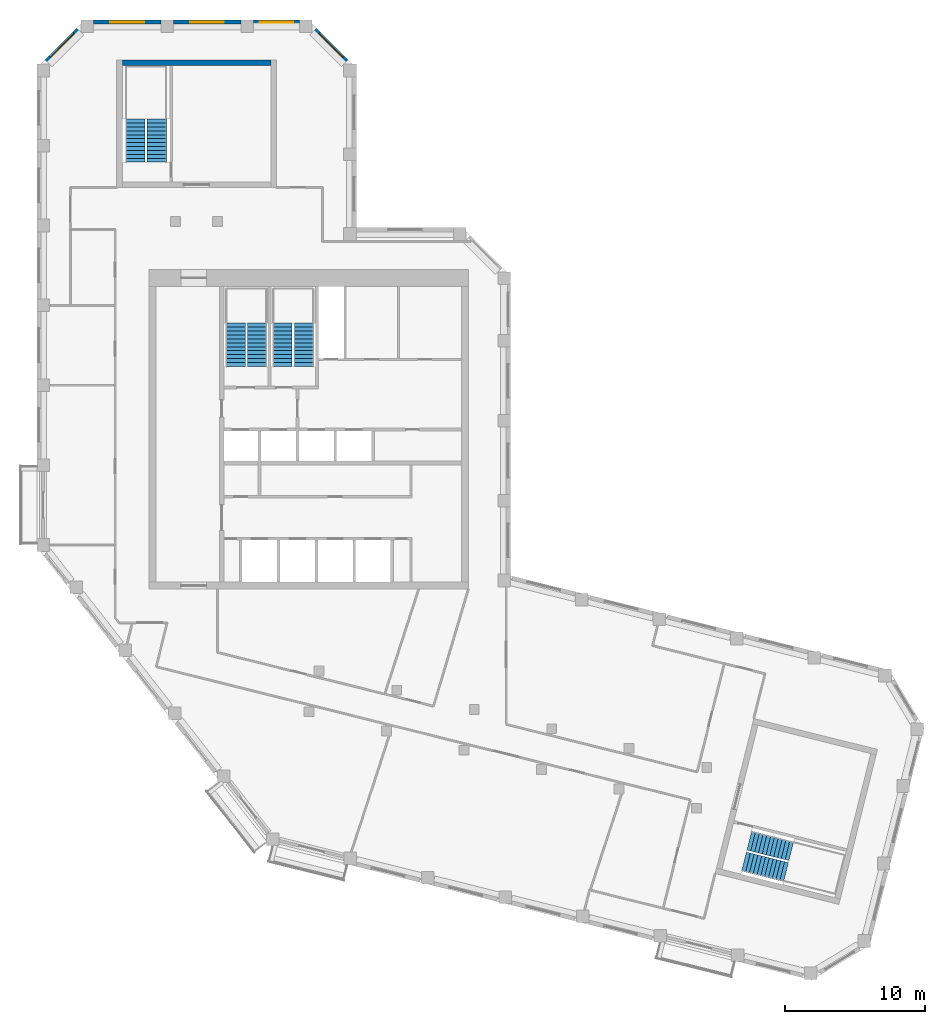
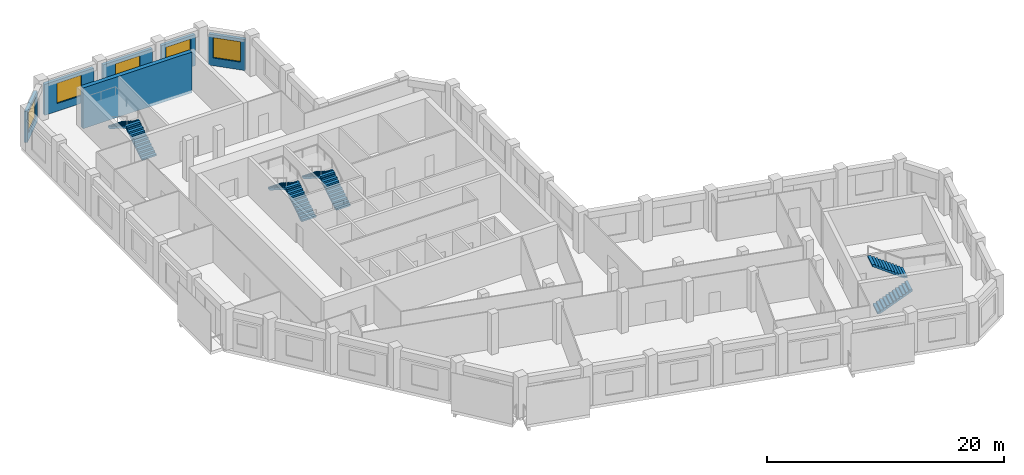
# One storey, part 7 of 8: 8 stair flights, 6 walls, 5 windows, 5 openings, 4 elements without a shape of their own.
"""IFC4 building model written with IfcOpenShell, lengths in metres."""

from ifc_helpers import new_model, si_unit, direction, frame, frame_2d, origin, place, context, subcontext, project, spatial, polyline, rectangle, outline, extrude, material, layer, layer_set, type_object, element, fill, aggregate, save


model = new_model("IFC4")

# Units and contexts
model_context = context("Model", 3, precision=1e-05, world=origin(), true_north=direction((0.0, 1.0)))
body_context = subcontext(model_context, "Body", "Model", "MODEL_VIEW")
ifc_project = project(units=[si_unit("LENGTHUNIT", "METRE"), si_unit("AREAUNIT", "SQUARE_METRE"), si_unit("VOLUMEUNIT", "CUBIC_METRE"), si_unit("PLANEANGLEUNIT", "RADIAN"), si_unit("MASSUNIT", "GRAM", prefix="KILO")], contexts=[model_context])

# Site, building, storey
site_placement = place(None, origin())
site = spatial("IfcSite", under=ifc_project, at=site_placement, CompositionType="ELEMENT")
building_placement = place(site_placement, origin())
building = spatial("IfcBuilding", under=site, at=building_placement, Name="Meshkara Civic Tower", CompositionType="ELEMENT")
storey_placement = place(building_placement, frame((0.0, 0.0, 391.800048828125)))
storey = spatial("IfcBuildingStorey", under=building, at=storey_placement, Name="L90", CompositionType="ELEMENT", Elevation=391.800048828125)

# Wall, opening, window
ifc_material_1 = material(Name="Insulated infill panel with bronze anodised aluminium cladding", Category="aluminium")
ifc_layer_1 = layer(ifc_material_1, 0.300048828125)
ifc_layer_set_1 = layer_set([ifc_layer_1], Name="EXTERNAL INFILL WALL 300")
wall_type_1 = type_object("IfcWallType", Name="EXTERNAL INFILL WALL 300", PredefinedType="SOLIDWALL", material=ifc_layer_set_1)
wall_1_placement = place(storey_placement, frame((22.112060546875, 51.77587890625, 0.0), z_axis=(0.0, 0.0, 1.0), x_axis=(-0.707106781187, 0.707106781187, 0.0)))
wall_1 = element("IfcWall", 1, at=wall_1_placement, inside=storey, type_object=wall_type_1, Name="External wall", PredefinedType="SOLIDWALL", context=body_context, shape_type="SweptSolid", body=[
    extrude(rectangle(XDim=3.190673828125, YDim=0.300048828125, at=frame_2d((1.59521484375, 0.0))), origin(), (0.0, 0.0, 1.0), 3.199951171875),
])
opening_1_placement = place(wall_1_placement, frame((0.39501953125, 0.0, 0.800048828125)))
opening_1 = element("IfcOpeningElement", 2, at=opening_1_placement, cuts=wall_1, Name="Opening W7", PredefinedType="OPENING", context=body_context, shape_type="SweptSolid", body=[
    extrude(rectangle(XDim=2.39990234375, YDim=2.10009765625, at=frame_2d((1.199951171875, 1.050048828125))), frame((0.0, 0.159912109375, 0.0), z_axis=(0.0, -1.0, 0.0), x_axis=(1.0, 0.0, 0.0)), (0.0, 0.0, 1.0), 0.320068359375),
])
ifc_material_2 = material(Name="Tinted double glazing", Category="glass")
window_type = type_object("IfcWindowType", Name="WINDOW 2400x2100", PartitioningType="DOUBLE_PANEL_VERTICAL", PredefinedType="WINDOW", material=ifc_material_2)
window_1_placement = place(opening_1_placement, origin())
window_1 = element("IfcWindow", 3, at=window_1_placement, inside=storey, type_object=window_type, Name="Window", OverallHeight=2.10009765625, OverallWidth=2.39990234375, PartitioningType="DOUBLE_PANEL_VERTICAL", PredefinedType="WINDOW", context=body_context, shape_type="SweptSolid", body=[
    extrude(rectangle(XDim=2.39990234375, YDim=2.10009765625, at=frame_2d((1.199951171875, 1.050048828125))), frame((0.0, 0.030029296875, 0.0), z_axis=(0.0, -1.0, 0.0), x_axis=(1.0, 0.0, 0.0)), (0.0, 0.0, 1.0), 0.06005859375),
])
fill(opening_1, window_1)

wall_2_placement = place(storey_placement, frame((18.743896484375, 54.570068359375, 0.0), z_axis=(0.0, 0.0, 1.0), x_axis=(-1.0, 0.0, 0.0)))
wall_2 = element("IfcWall", 4, at=wall_2_placement, inside=storey, type_object=wall_type_1, Name="External wall", PredefinedType="SOLIDWALL", context=body_context, shape_type="SweptSolid", body=[
    extrude(rectangle(XDim=3.287841796875, YDim=0.300048828125, at=frame_2d((1.64404296875, 0.0))), origin(), (0.0, 0.0, 1.0), 3.199951171875),
])
opening_2_placement = place(wall_2_placement, frame((0.444091796875, 0.0, 0.800048828125)))
opening_2 = element("IfcOpeningElement", 5, at=opening_2_placement, cuts=wall_2, Name="Opening W7", PredefinedType="OPENING", context=body_context, shape_type="SweptSolid", body=[
    extrude(rectangle(XDim=2.39990234375, YDim=2.10009765625, at=frame_2d((1.199951171875, 1.050048828125))), frame((0.0, 0.159912109375, 0.0), z_axis=(0.0, -1.0, 0.0), x_axis=(1.0, 0.0, 0.0)), (0.0, 0.0, 1.0), 0.320068359375),
])
window_2_placement = place(opening_2_placement, origin())
window_2 = element("IfcWindow", 6, at=window_2_placement, inside=storey, type_object=window_type, Name="Window", OverallHeight=2.10009765625, OverallWidth=2.39990234375, PartitioningType="DOUBLE_PANEL_VERTICAL", PredefinedType="WINDOW", context=body_context, shape_type="SweptSolid", body=[
    extrude(rectangle(XDim=2.39990234375, YDim=2.10009765625, at=frame_2d((1.199951171875, 1.050048828125))), frame((0.0, 0.030029296875, 0.0), z_axis=(0.0, -1.0, 0.0), x_axis=(1.0, 0.0, 0.0)), (0.0, 0.0, 1.0), 0.06005859375),
])
fill(opening_2, window_2)

wall_3_placement = place(storey_placement, frame((14.555908203125, 54.570068359375, 0.0), z_axis=(0.0, 0.0, 1.0), x_axis=(-1.0, 0.0, 0.0)))
wall_3 = element("IfcWall", 7, at=wall_3_placement, inside=storey, type_object=wall_type_1, Name="External wall", PredefinedType="SOLIDWALL", context=body_context, shape_type="SweptSolid", body=[
    extrude(rectangle(XDim=4.7998046875, YDim=0.300048828125, at=frame_2d((2.39990234375, 0.0))), origin(), (0.0, 0.0, 1.0), 3.199951171875),
])
opening_3_placement = place(wall_3_placement, frame((1.199951171875, 0.0, 0.800048828125)))
opening_3 = element("IfcOpeningElement", 8, at=opening_3_placement, cuts=wall_3, Name="Opening W7", PredefinedType="OPENING", context=body_context, shape_type="SweptSolid", body=[
    extrude(rectangle(XDim=2.39990234375, YDim=2.10009765625, at=frame_2d((1.199951171875, 1.050048828125))), frame((0.0, 0.159912109375, 0.0), z_axis=(0.0, -1.0, 0.0), x_axis=(1.0, 0.0, 0.0)), (0.0, 0.0, 1.0), 0.320068359375),
])
window_3_placement = place(opening_3_placement, origin())
window_3 = element("IfcWindow", 9, at=window_3_placement, inside=storey, type_object=window_type, Name="Window", OverallHeight=2.10009765625, OverallWidth=2.39990234375, PartitioningType="DOUBLE_PANEL_VERTICAL", PredefinedType="WINDOW", context=body_context, shape_type="SweptSolid", body=[
    extrude(rectangle(XDim=2.39990234375, YDim=2.10009765625, at=frame_2d((1.199951171875, 1.050048828125))), frame((0.0, 0.030029296875, 0.0), z_axis=(0.0, -1.0, 0.0), x_axis=(1.0, 0.0, 0.0)), (0.0, 0.0, 1.0), 0.06005859375),
])
fill(opening_3, window_3)

wall_4_placement = place(storey_placement, frame((8.85595703125, 54.570068359375, 0.0), z_axis=(0.0, 0.0, 1.0), x_axis=(-1.0, 0.0, 0.0)))
wall_4 = element("IfcWall", 10, at=wall_4_placement, inside=storey, type_object=wall_type_1, Name="External wall", PredefinedType="SOLIDWALL", context=body_context, shape_type="SweptSolid", body=[
    extrude(rectangle(XDim=4.800048828125, YDim=0.300048828125, at=frame_2d((2.39990234375, 0.0))), origin(), (0.0, 0.0, 1.0), 3.199951171875),
])
opening_4_placement = place(wall_4_placement, frame((1.199951171875, 0.0, 0.800048828125)))
opening_4 = element("IfcOpeningElement", 11, at=opening_4_placement, cuts=wall_4, Name="Opening W7", PredefinedType="OPENING", context=body_context, shape_type="SweptSolid", body=[
    extrude(rectangle(XDim=2.39990234375, YDim=2.10009765625, at=frame_2d((1.199951171875, 1.050048828125))), frame((0.0, 0.159912109375, 0.0), z_axis=(0.0, -1.0, 0.0), x_axis=(1.0, 0.0, 0.0)), (0.0, 0.0, 1.0), 0.320068359375),
])
window_4_placement = place(opening_4_placement, origin())
window_4 = element("IfcWindow", 12, at=window_4_placement, inside=storey, type_object=window_type, Name="Window", OverallHeight=2.10009765625, OverallWidth=2.39990234375, PartitioningType="DOUBLE_PANEL_VERTICAL", PredefinedType="WINDOW", context=body_context, shape_type="SweptSolid", body=[
    extrude(rectangle(XDim=2.39990234375, YDim=2.10009765625, at=frame_2d((1.199951171875, 1.050048828125))), frame((0.0, 0.030029296875, 0.0), z_axis=(0.0, -1.0, 0.0), x_axis=(1.0, 0.0, 0.0)), (0.0, 0.0, 1.0), 0.06005859375),
])
fill(opening_4, window_4)

wall_5_placement = place(storey_placement, frame((2.944091796875, 54.031982421875, 0.0), z_axis=(0.0, 0.0, 1.0), x_axis=(-0.707106781187, -0.707106781187, 0.0)))
wall_5 = element("IfcWall", 13, at=wall_5_placement, inside=storey, type_object=wall_type_1, Name="External wall", PredefinedType="SOLIDWALL", context=body_context, shape_type="SweptSolid", body=[
    extrude(rectangle(XDim=3.190673828125, YDim=0.300048828125, at=frame_2d((1.59521484375, 0.0))), origin(), (0.0, 0.0, 1.0), 3.199951171875),
])
opening_5_placement = place(wall_5_placement, frame((0.39501953125, 0.0, 0.800048828125)))
opening_5 = element("IfcOpeningElement", 14, at=opening_5_placement, cuts=wall_5, Name="Opening W7", PredefinedType="OPENING", context=body_context, shape_type="SweptSolid", body=[
    extrude(rectangle(XDim=2.39990234375, YDim=2.10009765625, at=frame_2d((1.199951171875, 1.050048828125))), frame((0.0, 0.159912109375, 0.0), z_axis=(0.0, -1.0, 0.0), x_axis=(1.0, 0.0, 0.0)), (0.0, 0.0, 1.0), 0.320068359375),
])
window_5_placement = place(opening_5_placement, origin())
window_5 = element("IfcWindow", 15, at=window_5_placement, inside=storey, type_object=window_type, Name="Window", OverallHeight=2.10009765625, OverallWidth=2.39990234375, PartitioningType="DOUBLE_PANEL_VERTICAL", PredefinedType="WINDOW", context=body_context, shape_type="SweptSolid", body=[
    extrude(rectangle(XDim=2.39990234375, YDim=2.10009765625, at=frame_2d((1.199951171875, 1.050048828125))), frame((0.0, 0.030029296875, 0.0), z_axis=(0.0, -1.0, 0.0), x_axis=(1.0, 0.0, 0.0)), (0.0, 0.0, 1.0), 0.06005859375),
])
fill(opening_5, window_5)

# Wall
ifc_material_3 = material(Name="Concrete C50", Category="concrete")
ifc_layer_2 = layer(ifc_material_3, 0.39990234375)
ifc_layer_set_2 = layer_set([ifc_layer_2], Name="End core ring wall 400 C50")
wall_type_2 = type_object("IfcWallType", Name="End core ring wall 400 C50", PredefinedType="SHEAR", material=ifc_layer_set_2)
wall_6_placement = place(storey_placement, frame((6.10009765625, 51.669921875, -0.300048828125), z_axis=(0.0, 0.0, 1.0), x_axis=(1.0, 0.0, 0.0)))
element("IfcWall", 16, at=wall_6_placement, inside=storey, type_object=wall_type_2, Name="L90-C030", PredefinedType="SHEAR", context=body_context, shape_type="SweptSolid", body=[
    extrude(rectangle(XDim=10.599853515625, YDim=0.39990234375, at=frame_2d((5.2998046875, 0.0))), origin(), (0.0, 0.0, 1.0), 4.199951171875),
])

# Stair, stair flights
ifc_material_4 = material(Name="Precast concrete C40/50", Category="concrete")
stair_type = type_object("IfcStairType", Name="Exit stair half-turn 24 risers precast", PredefinedType="HALF_TURN_STAIR", material=ifc_material_4)
stair_1_placement = place(storey_placement, origin())
stair_1 = element("IfcStair", 17, at=stair_1_placement, inside=storey, type_object=stair_type, Name="L90 exit stair 1", PredefinedType="HALF_TURN_STAIR")
ifc_material_5 = material(Name="Precast concrete C40/50", Category="concrete")
stair_flight_type = type_object("IfcStairFlightType", Name="Exit stair flight 12 risers precast", PredefinedType="STRAIGHT", material=ifc_material_5)
stair_flight_1_placement = place(storey_placement, frame((15.72509765625, 30.0, 0.0), z_axis=(0.0, 0.0, 1.0), x_axis=(0.0, 1.0, 0.0)))
stair_flight_1 = element("IfcStairFlight", 18, at=stair_flight_1_placement, type_object=stair_flight_type, Name="ST1 flight 1", NumberOfRisers=12, NumberOfTreads=11, PredefinedType="STRAIGHT", RiserHeight=0.175, TreadLength=0.28, context=body_context, shape_type="SweptSolid", body=[
    extrude(outline(polyline([(0.0, 0.0), (0.0, 0.175048828125), (0.280029296875, 0.175048828125), (0.280029296875, 0.35009765625), (0.56005859375, 0.35009765625), (0.56005859375, 0.52490234375), (0.840087890625, 0.52490234375), (0.840087890625, 0.699951171875), (1.1201171875, 0.699951171875), (1.1201171875, 0.875), (1.39990234375, 0.875), (1.39990234375, 1.050048828125), (1.679931640625, 1.050048828125), (1.679931640625, 1.22509765625), (1.9599609375, 1.22509765625), (1.9599609375, 1.39990234375), (2.239990234375, 1.39990234375), (2.239990234375, 1.574951171875), (2.52001953125, 1.574951171875), (2.52001953125, 1.75), (2.800048828125, 1.75), (2.800048828125, 1.925048828125), (3.080078125, 1.925048828125), (3.080078125, 2.10009765625), (3.080078125, 1.748291015625), (0.28271484375, 0.0), (0.0, 0.0)])), frame((0.0, 0.699951171875, 0.0), z_axis=(0.0, -1.0, 0.0), x_axis=(1.0, 0.0, 0.0)), (0.0, 0.0, 1.0), 1.39990234375),
])
stair_flight_2_placement = place(storey_placement, frame((14.175048828125, 33.080078125, 2.099853515625), z_axis=(0.0, 0.0, 1.0), x_axis=(0.0, -1.0, 0.0)))
stair_flight_2 = element("IfcStairFlight", 19, at=stair_flight_2_placement, type_object=stair_flight_type, Name="ST1 flight 2", NumberOfRisers=12, NumberOfTreads=11, PredefinedType="STRAIGHT", RiserHeight=0.175, TreadLength=0.28, context=body_context, shape_type="SweptSolid", body=[
    extrude(outline(polyline([(0.0, 0.0), (0.0, 0.175048828125), (0.280029296875, 0.175048828125), (0.280029296875, 0.35009765625), (0.56005859375, 0.35009765625), (0.56005859375, 0.52490234375), (0.840087890625, 0.52490234375), (0.840087890625, 0.699951171875), (1.1201171875, 0.699951171875), (1.1201171875, 0.875), (1.39990234375, 0.875), (1.39990234375, 1.050048828125), (1.679931640625, 1.050048828125), (1.679931640625, 1.22509765625), (1.9599609375, 1.22509765625), (1.9599609375, 1.39990234375), (2.239990234375, 1.39990234375), (2.239990234375, 1.574951171875), (2.52001953125, 1.574951171875), (2.52001953125, 1.75), (2.800048828125, 1.75), (2.800048828125, 1.925048828125), (3.080078125, 1.925048828125), (3.080078125, 2.10009765625), (3.080078125, 1.748291015625), (0.28271484375, 0.0), (0.0, 0.0)])), frame((0.0, 0.699951171875, 0.0), z_axis=(0.0, -1.0, 0.0), x_axis=(1.0, 0.0, 0.0)), (0.0, 0.0, 1.0), 1.39990234375),
])
aggregate(stair_1, [stair_flight_1, stair_flight_2])

stair_2_placement = place(storey_placement, origin())
stair_2 = element("IfcStair", 20, at=stair_2_placement, inside=storey, type_object=stair_type, Name="L90 exit stair 2", PredefinedType="HALF_TURN_STAIR")
stair_flight_3_placement = place(storey_placement, frame((19.074951171875, 30.0, 0.0), z_axis=(0.0, 0.0, 1.0), x_axis=(0.0, 1.0, 0.0)))
stair_flight_3 = element("IfcStairFlight", 21, at=stair_flight_3_placement, type_object=stair_flight_type, Name="ST2 flight 1", NumberOfRisers=12, NumberOfTreads=11, PredefinedType="STRAIGHT", RiserHeight=0.175, TreadLength=0.28, context=body_context, shape_type="SweptSolid", body=[
    extrude(outline(polyline([(0.0, 0.0), (0.0, 0.175048828125), (0.280029296875, 0.175048828125), (0.280029296875, 0.35009765625), (0.56005859375, 0.35009765625), (0.56005859375, 0.52490234375), (0.840087890625, 0.52490234375), (0.840087890625, 0.699951171875), (1.1201171875, 0.699951171875), (1.1201171875, 0.875), (1.39990234375, 0.875), (1.39990234375, 1.050048828125), (1.679931640625, 1.050048828125), (1.679931640625, 1.22509765625), (1.9599609375, 1.22509765625), (1.9599609375, 1.39990234375), (2.239990234375, 1.39990234375), (2.239990234375, 1.574951171875), (2.52001953125, 1.574951171875), (2.52001953125, 1.75), (2.800048828125, 1.75), (2.800048828125, 1.925048828125), (3.080078125, 1.925048828125), (3.080078125, 2.10009765625), (3.080078125, 1.748291015625), (0.28271484375, 0.0), (0.0, 0.0)])), frame((0.0, 0.699951171875, 0.0), z_axis=(0.0, -1.0, 0.0), x_axis=(1.0, 0.0, 0.0)), (0.0, 0.0, 1.0), 1.39990234375),
])
stair_flight_4_placement = place(storey_placement, frame((17.52490234375, 33.080078125, 2.099853515625), z_axis=(0.0, 0.0, 1.0), x_axis=(0.0, -1.0, 0.0)))
stair_flight_4 = element("IfcStairFlight", 22, at=stair_flight_4_placement, type_object=stair_flight_type, Name="ST2 flight 2", NumberOfRisers=12, NumberOfTreads=11, PredefinedType="STRAIGHT", RiserHeight=0.175, TreadLength=0.28, context=body_context, shape_type="SweptSolid", body=[
    extrude(outline(polyline([(0.0, 0.0), (0.0, 0.175048828125), (0.280029296875, 0.175048828125), (0.280029296875, 0.35009765625), (0.56005859375, 0.35009765625), (0.56005859375, 0.52490234375), (0.840087890625, 0.52490234375), (0.840087890625, 0.699951171875), (1.1201171875, 0.699951171875), (1.1201171875, 0.875), (1.39990234375, 0.875), (1.39990234375, 1.050048828125), (1.679931640625, 1.050048828125), (1.679931640625, 1.22509765625), (1.9599609375, 1.22509765625), (1.9599609375, 1.39990234375), (2.239990234375, 1.39990234375), (2.239990234375, 1.574951171875), (2.52001953125, 1.574951171875), (2.52001953125, 1.75), (2.800048828125, 1.75), (2.800048828125, 1.925048828125), (3.080078125, 1.925048828125), (3.080078125, 2.10009765625), (3.080078125, 1.748291015625), (0.28271484375, 0.0), (0.0, 0.0)])), frame((0.0, 0.699951171875, 0.0), z_axis=(0.0, -1.0, 0.0), x_axis=(1.0, 0.0, 0.0)), (0.0, 0.0, 1.0), 1.39990234375),
])
aggregate(stair_2, [stair_flight_3, stair_flight_4])

stair_3_placement = place(storey_placement, origin())
stair_3 = element("IfcStair", 23, at=stair_3_placement, inside=storey, type_object=stair_type, Name="L90 exit stair A from L80", PredefinedType="HALF_TURN_STAIR")
stair_flight_5_placement = place(storey_placement, frame((8.574951171875, 44.570068359375, 0.0), z_axis=(0.0, 0.0, 1.0), x_axis=(0.0, 1.0, 0.0)))
stair_flight_5 = element("IfcStairFlight", 24, at=stair_flight_5_placement, type_object=stair_flight_type, Name="ESA6 flight 1", NumberOfRisers=12, NumberOfTreads=11, PredefinedType="STRAIGHT", RiserHeight=0.175, TreadLength=0.28, context=body_context, shape_type="SweptSolid", body=[
    extrude(outline(polyline([(0.0, 0.0), (0.0, 0.175048828125), (0.280029296875, 0.175048828125), (0.280029296875, 0.35009765625), (0.56005859375, 0.35009765625), (0.56005859375, 0.52490234375), (0.840087890625, 0.52490234375), (0.840087890625, 0.699951171875), (1.1201171875, 0.699951171875), (1.1201171875, 0.875), (1.39990234375, 0.875), (1.39990234375, 1.050048828125), (1.679931640625, 1.050048828125), (1.679931640625, 1.22509765625), (1.9599609375, 1.22509765625), (1.9599609375, 1.39990234375), (2.239990234375, 1.39990234375), (2.239990234375, 1.574951171875), (2.52001953125, 1.574951171875), (2.52001953125, 1.75), (2.800048828125, 1.75), (2.800048828125, 1.925048828125), (3.080078125, 1.925048828125), (3.080078125, 2.10009765625), (3.080078125, 1.748291015625), (0.28271484375, 0.0), (0.0, 0.0)])), frame((0.0, 0.699951171875, 0.0), z_axis=(0.0, -1.0, 0.0), x_axis=(1.0, 0.0, 0.0)), (0.0, 0.0, 1.0), 1.39990234375),
])
stair_flight_6_placement = place(storey_placement, frame((7.02490234375, 47.64990234375, 2.099853515625), z_axis=(0.0, 0.0, 1.0), x_axis=(0.0, -1.0, 0.0)))
stair_flight_6 = element("IfcStairFlight", 25, at=stair_flight_6_placement, type_object=stair_flight_type, Name="ESA6 flight 2", NumberOfRisers=12, NumberOfTreads=11, PredefinedType="STRAIGHT", RiserHeight=0.175, TreadLength=0.28, context=body_context, shape_type="SweptSolid", body=[
    extrude(outline(polyline([(0.0, 0.0), (0.0, 0.175048828125), (0.280029296875, 0.175048828125), (0.280029296875, 0.35009765625), (0.56005859375, 0.35009765625), (0.56005859375, 0.52490234375), (0.840087890625, 0.52490234375), (0.840087890625, 0.699951171875), (1.1201171875, 0.699951171875), (1.1201171875, 0.875), (1.39990234375, 0.875), (1.39990234375, 1.050048828125), (1.679931640625, 1.050048828125), (1.679931640625, 1.22509765625), (1.9599609375, 1.22509765625), (1.9599609375, 1.39990234375), (2.239990234375, 1.39990234375), (2.239990234375, 1.574951171875), (2.52001953125, 1.574951171875), (2.52001953125, 1.75), (2.800048828125, 1.75), (2.800048828125, 1.925048828125), (3.080078125, 1.925048828125), (3.080078125, 2.10009765625), (3.080078125, 1.748291015625), (0.28271484375, 0.0), (0.0, 0.0)])), frame((0.0, 0.699951171875, 0.0), z_axis=(0.0, -1.0, 0.0), x_axis=(1.0, 0.0, 0.0)), (0.0, 0.0, 1.0), 1.39990234375),
])
aggregate(stair_3, [stair_flight_5, stair_flight_6])

stair_4_placement = place(storey_placement, origin())
stair_4 = element("IfcStair", 26, at=stair_4_placement, inside=storey, type_object=stair_type, Name="L90 exit stair B from L80", PredefinedType="HALF_TURN_STAIR")
stair_flight_7_placement = place(storey_placement, frame((50.47607421875, -5.344482421875, 0.0), z_axis=(0.0, 0.0, 1.0), x_axis=(0.9703185901, -0.241830175344, 0.0)))
stair_flight_7 = element("IfcStairFlight", 27, at=stair_flight_7_placement, type_object=stair_flight_type, Name="ESB6 flight 1", NumberOfRisers=12, NumberOfTreads=11, PredefinedType="STRAIGHT", RiserHeight=0.175, TreadLength=0.28, context=body_context, shape_type="SweptSolid", body=[
    extrude(outline(polyline([(0.0, 0.0), (0.0, 0.175048828125), (0.280029296875, 0.175048828125), (0.280029296875, 0.35009765625), (0.56005859375, 0.35009765625), (0.56005859375, 0.52490234375), (0.840087890625, 0.52490234375), (0.840087890625, 0.699951171875), (1.1201171875, 0.699951171875), (1.1201171875, 0.875), (1.39990234375, 0.875), (1.39990234375, 1.050048828125), (1.679931640625, 1.050048828125), (1.679931640625, 1.22509765625), (1.9599609375, 1.22509765625), (1.9599609375, 1.39990234375), (2.239990234375, 1.39990234375), (2.239990234375, 1.574951171875), (2.52001953125, 1.574951171875), (2.52001953125, 1.75), (2.800048828125, 1.75), (2.800048828125, 1.925048828125), (3.080078125, 1.925048828125), (3.080078125, 2.10009765625), (3.080078125, 1.748291015625), (0.28271484375, 0.0), (0.0, 0.0)])), frame((0.0, 0.699951171875, 0.0), z_axis=(0.0, -1.0, 0.0), x_axis=(1.0, 0.0, 0.0)), (0.0, 0.0, 1.0), 1.39990234375),
])
stair_flight_8_placement = place(storey_placement, frame((53.83935546875, -4.58544921875, 2.099853515625), z_axis=(0.0, 0.0, 1.0), x_axis=(-0.9703185901, 0.241830175344, 0.0)))
stair_flight_8 = element("IfcStairFlight", 28, at=stair_flight_8_placement, type_object=stair_flight_type, Name="ESB6 flight 2", NumberOfRisers=12, NumberOfTreads=11, PredefinedType="STRAIGHT", RiserHeight=0.175, TreadLength=0.28, context=body_context, shape_type="SweptSolid", body=[
    extrude(outline(polyline([(0.0, 0.0), (0.0, 0.175048828125), (0.280029296875, 0.175048828125), (0.280029296875, 0.35009765625), (0.56005859375, 0.35009765625), (0.56005859375, 0.52490234375), (0.840087890625, 0.52490234375), (0.840087890625, 0.699951171875), (1.1201171875, 0.699951171875), (1.1201171875, 0.875), (1.39990234375, 0.875), (1.39990234375, 1.050048828125), (1.679931640625, 1.050048828125), (1.679931640625, 1.22509765625), (1.9599609375, 1.22509765625), (1.9599609375, 1.39990234375), (2.239990234375, 1.39990234375), (2.239990234375, 1.574951171875), (2.52001953125, 1.574951171875), (2.52001953125, 1.75), (2.800048828125, 1.75), (2.800048828125, 1.925048828125), (3.080078125, 1.925048828125), (3.080078125, 2.10009765625), (3.080078125, 1.748291015625), (0.28271484375, 0.0), (0.0, 0.0)])), frame((0.0, 0.699951171875, 0.0), z_axis=(0.0, -1.0, 0.0), x_axis=(1.0, 0.0, 0.0)), (0.0, 0.0, 1.0), 1.39990234375),
])
aggregate(stair_4, [stair_flight_7, stair_flight_8])

save(model, "model.ifc")
